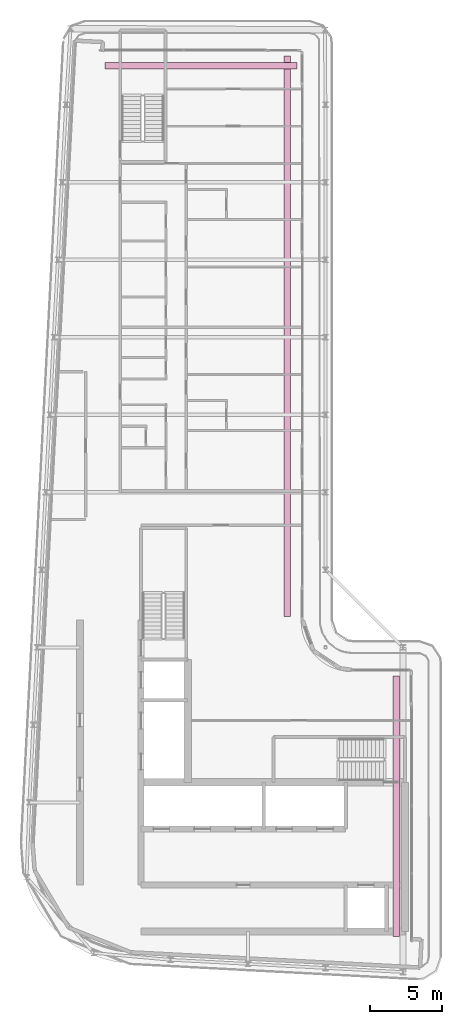
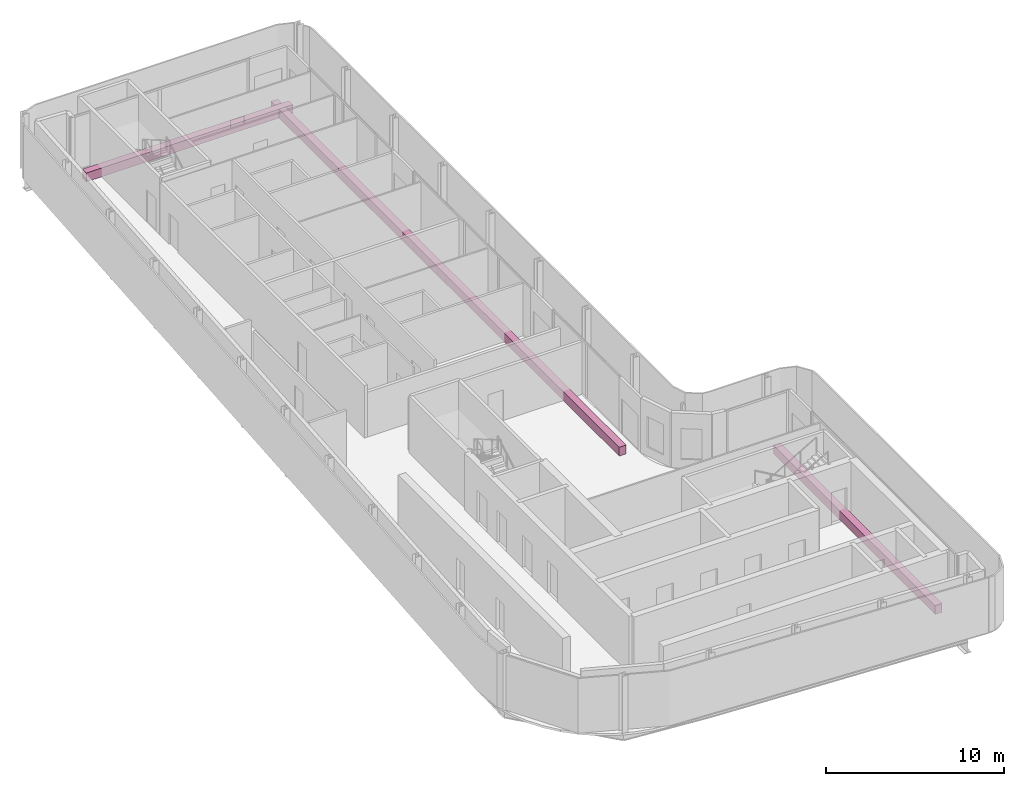
# One storey, part 17 of 17: 3 furniture elements.
"""IFC4 building model written with IfcOpenShell, lengths in metres."""

from ifc_helpers import new_model, si_unit, direction, frame, origin, origin_2d, place, context, subcontext, project, spatial, rectangle, extrude, material, type_object, element, save


model = new_model("IFC4")

# Units and contexts
model_context = context("Model", 3, precision=1e-05, world=origin(), true_north=direction((0.0, 1.0)))
body_context = subcontext(model_context, "Body", "Model", "MODEL_VIEW")
ifc_project = project(units=[si_unit("LENGTHUNIT", "METRE"), si_unit("AREAUNIT", "SQUARE_METRE"), si_unit("VOLUMEUNIT", "CUBIC_METRE"), si_unit("PLANEANGLEUNIT", "RADIAN"), si_unit("MASSUNIT", "GRAM", prefix="KILO")], contexts=[model_context])

# Site, building, storey
site_placement = place(None, origin())
site = spatial("IfcSite", under=ifc_project, at=site_placement, CompositionType="ELEMENT")
building_placement = place(site_placement, origin())
building = spatial("IfcBuilding", under=site, at=building_placement, Name="Kheshtan School and Residences Tower", CompositionType="ELEMENT")
storey_placement = place(building_placement, frame((0.0, 0.0, 346.10009765625)))
storey = spatial("IfcBuildingStorey", under=building, at=storey_placement, Name="L81", CompositionType="ELEMENT", Elevation=346.10009765625)

# Furniture
ifc_material = material(Name="Precast concrete C30/37 in terracotta finish", Category="masonry")
furniture_type = type_object("IfcFurnitureType", Name="Planter trough", AssemblyPlace="NOTDEFINED", PredefinedType="USERDEFINED", material=ifc_material)
furniture_1_placement = place(storey_placement, frame((38.912109375, 86.125, -0.000244140625), z_axis=(0.0, 0.0, 1.0), x_axis=(1.0, 0.0, 0.0)))
element("IfcFurniture", 1, at=furniture_1_placement, inside=storey, type_object=furniture_type, Name="Planter L81", ObjectType="PLANTER", PredefinedType="USERDEFINED", context=body_context, shape_type="SweptSolid", body=[
    extrude(rectangle(XDim=13.3759765625, YDim=0.449951171875, at=origin_2d()), origin(), (0.0, 0.0, 1.0), 0.60009765625),
])
furniture_2_placement = place(storey_placement, frame((44.925048828125, 67.264892578125, -0.000244140625), z_axis=(0.0, 0.0, 1.0), x_axis=(0.0, -1.0, 0.0)))
element("IfcFurniture", 2, at=furniture_2_placement, inside=storey, type_object=furniture_type, Name="Planter L81", ObjectType="PLANTER", PredefinedType="USERDEFINED", context=body_context, shape_type="SweptSolid", body=[
    extrude(rectangle(XDim=39.070068359375, YDim=0.449951171875, at=origin_2d()), origin(), (0.0, 0.0, 1.0), 0.60009765625),
])
furniture_3_placement = place(storey_placement, frame((52.52490234375, 34.528076171875, -0.000244140625), z_axis=(0.0, 0.0, 1.0), x_axis=(0.0, -1.0, 0.0)))
element("IfcFurniture", 3, at=furniture_3_placement, inside=storey, type_object=furniture_type, Name="Planter L81", ObjectType="PLANTER", PredefinedType="USERDEFINED", context=body_context, shape_type="SweptSolid", body=[
    extrude(rectangle(XDim=18.14404296875, YDim=0.449951171875, at=origin_2d()), origin(), (0.0, 0.0, 1.0), 0.60009765625),
])

save(model, "model.ifc")
